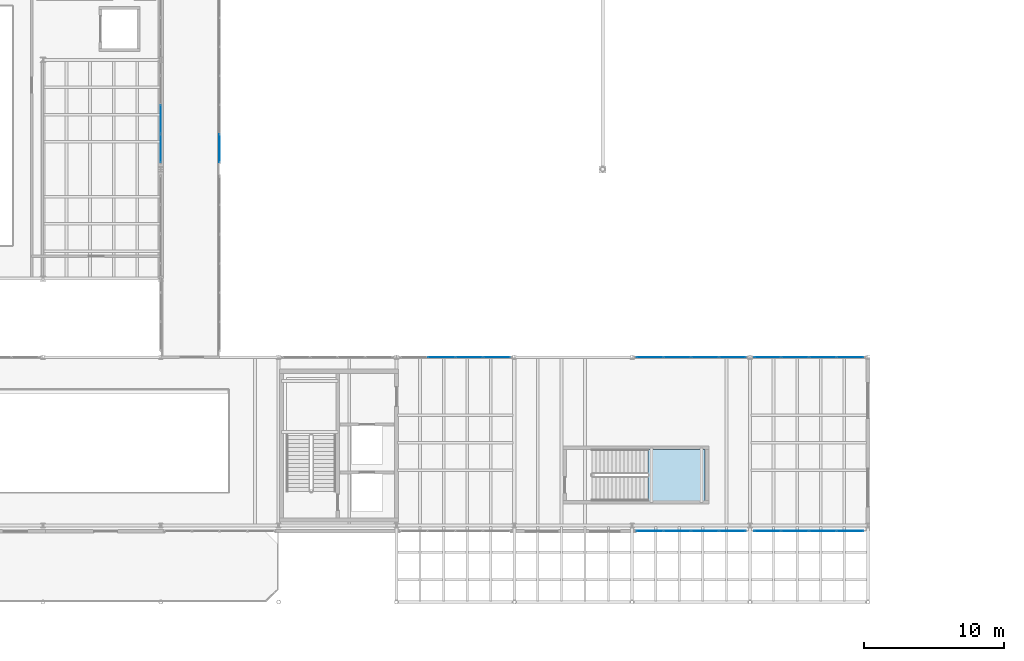
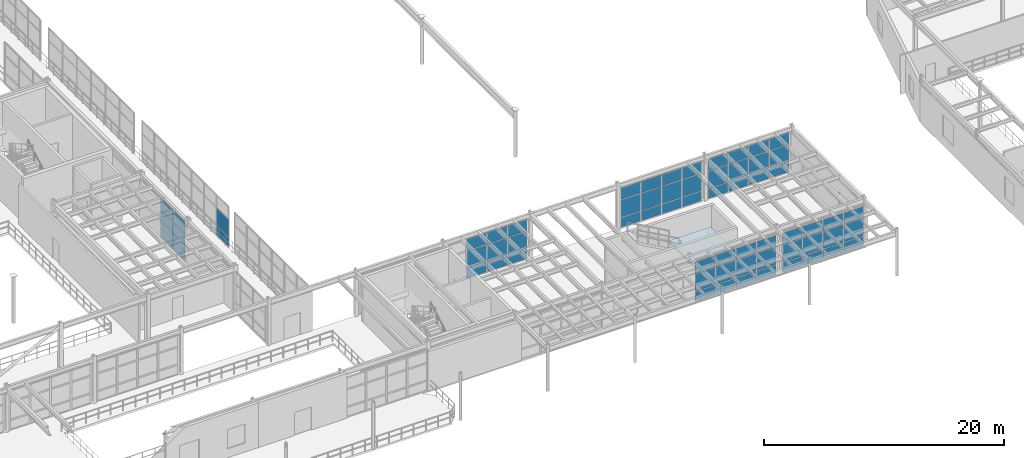
# One storey, part 85 of 116: 65 plates, 1 slab, 8 elements without a shape of their own.
"""IFC4 building model written with IfcOpenShell, lengths in metres."""

from ifc_helpers import new_model, si_unit, direction, frame, origin, origin_2d, place, context, subcontext, project, spatial, polyline, rectangle, outline, extrude, material, layer, layer_set, type_object, element, aggregate, save


model = new_model("IFC4")

# Units and contexts
model_context = context("Model", 3, precision=1e-05, world=origin(), true_north=direction((0.0, 1.0)))
body_context = subcontext(model_context, "Body", "Model", "MODEL_VIEW")
ifc_project = project(units=[si_unit("LENGTHUNIT", "METRE"), si_unit("AREAUNIT", "SQUARE_METRE"), si_unit("VOLUMEUNIT", "CUBIC_METRE"), si_unit("PLANEANGLEUNIT", "RADIAN"), si_unit("MASSUNIT", "GRAM", prefix="KILO")], contexts=[model_context])

# Site, building, storey
site_placement = place(None, origin())
site = spatial("IfcSite", under=ifc_project, at=site_placement, CompositionType="ELEMENT")
building_placement = place(site_placement, origin())
building = spatial("IfcBuilding", under=site, at=building_placement, Name="Selat Folded Stagehouse", CompositionType="ELEMENT")
storey_placement = place(building_placement, frame((0.0, 0.0, 5.39990234375)))
storey = spatial("IfcBuildingStorey", under=building, at=storey_placement, Name="L01", CompositionType="ELEMENT", Elevation=5.39990234375)

# Curtain wall, plates
ifc_material_1 = material(Name="Aluminium 6063-T6", Category="aluminium")
ifc_layer_1 = layer(ifc_material_1, 0.195068359375)
ifc_layer_set_1 = layer_set([ifc_layer_1], Name="Aluminium 6063-T6")
curtain_wall_type_1 = type_object("IfcCurtainWallType", Name="CW-FYR-COURT", PredefinedType="NOTDEFINED", material=ifc_layer_set_1)
curtain_wall_1_placement = place(storey_placement, origin())
curtain_wall_1 = element("IfcCurtainWall", 1, at=curtain_wall_1_placement, inside=storey, type_object=curtain_wall_type_1, Name="L01 curtain wall CW-FYR-L01-11", PredefinedType="NOTDEFINED")
ifc_material_2 = material(Name="Clear laminated double glazing", Category="glass")
ifc_layer_2 = layer(ifc_material_2, 0.028076171875)
ifc_layer_set_2 = layer_set([ifc_layer_2], Name="Clear laminated double glazing")
plate_type_1 = type_object("IfcPlateType", Name="CWP-GLZ-DGU28", PredefinedType="CURTAIN_PANEL", material=ifc_layer_set_2)
plate_1_placement = place(storey_placement, frame((87.21240234375, 17.800048828125, 0.06494140625), z_axis=(0.0, 0.0, 1.0), x_axis=(1.0, 0.0, 0.0)))
plate_1 = element("IfcPlate", 2, at=plate_1_placement, type_object=plate_type_1, Name="CW-05 panel 2.1", PredefinedType="CURTAIN_PANEL", context=body_context, shape_type="SweptSolid", body=[
    extrude(rectangle(XDim=1.909912109375, YDim=0.028076171875, at=origin_2d()), origin(), (0.0, 0.0, 1.0), 0.952392578125),
])
plate_2_placement = place(storey_placement, frame((87.21240234375, 17.800048828125, 1.08251953125), z_axis=(0.0, 0.0, 1.0), x_axis=(1.0, 0.0, 0.0)))
plate_2 = element("IfcPlate", 3, at=plate_2_placement, type_object=plate_type_1, Name="CW-05 panel 2.2", PredefinedType="CURTAIN_PANEL", context=body_context, shape_type="SweptSolid", body=[
    extrude(rectangle(XDim=1.909912109375, YDim=0.028076171875, at=origin_2d()), origin(), (0.0, 0.0, 1.0), 1.735107421875),
])
plate_3_placement = place(storey_placement, frame((87.21240234375, 17.800048828125, 2.88232421875), z_axis=(0.0, 0.0, 1.0), x_axis=(1.0, 0.0, 0.0)))
plate_3 = element("IfcPlate", 4, at=plate_3_placement, type_object=plate_type_1, Name="CW-05 panel 2.3", PredefinedType="CURTAIN_PANEL", context=body_context, shape_type="SweptSolid", body=[
    extrude(rectangle(XDim=1.909912109375, YDim=0.028076171875, at=origin_2d()), origin(), (0.0, 0.0, 1.0), 1.172607421875),
])
plate_4_placement = place(storey_placement, frame((89.1875, 17.800048828125, 0.06494140625), z_axis=(0.0, 0.0, 1.0), x_axis=(1.0, 0.0, 0.0)))
plate_4 = element("IfcPlate", 5, at=plate_4_placement, type_object=plate_type_1, Name="CW-05 panel 3.1", PredefinedType="CURTAIN_PANEL", context=body_context, shape_type="SweptSolid", body=[
    extrude(rectangle(XDim=1.909912109375, YDim=0.028076171875, at=origin_2d()), origin(), (0.0, 0.0, 1.0), 0.952392578125),
])
plate_5_placement = place(storey_placement, frame((89.1875, 17.800048828125, 1.08251953125), z_axis=(0.0, 0.0, 1.0), x_axis=(1.0, 0.0, 0.0)))
plate_5 = element("IfcPlate", 6, at=plate_5_placement, type_object=plate_type_1, Name="CW-05 panel 3.2", PredefinedType="CURTAIN_PANEL", context=body_context, shape_type="SweptSolid", body=[
    extrude(rectangle(XDim=1.909912109375, YDim=0.028076171875, at=origin_2d()), origin(), (0.0, 0.0, 1.0), 1.735107421875),
])
plate_6_placement = place(storey_placement, frame((89.1875, 17.800048828125, 2.88232421875), z_axis=(0.0, 0.0, 1.0), x_axis=(1.0, 0.0, 0.0)))
plate_6 = element("IfcPlate", 7, at=plate_6_placement, type_object=plate_type_1, Name="CW-05 panel 3.3", PredefinedType="CURTAIN_PANEL", context=body_context, shape_type="SweptSolid", body=[
    extrude(rectangle(XDim=1.909912109375, YDim=0.028076171875, at=origin_2d()), origin(), (0.0, 0.0, 1.0), 1.172607421875),
])
plate_7_placement = place(storey_placement, frame((91.146240234375, 17.800048828125, 0.06494140625), z_axis=(0.0, 0.0, 1.0), x_axis=(1.0, 0.0, 0.0)))
plate_7 = element("IfcPlate", 8, at=plate_7_placement, type_object=plate_type_1, Name="CW-05 panel 4.1", PredefinedType="CURTAIN_PANEL", context=body_context, shape_type="SweptSolid", body=[
    extrude(rectangle(XDim=1.87744140625, YDim=0.028076171875, at=origin_2d()), origin(), (0.0, 0.0, 1.0), 0.952392578125),
])
plate_8_placement = place(storey_placement, frame((91.146240234375, 17.800048828125, 1.08251953125), z_axis=(0.0, 0.0, 1.0), x_axis=(1.0, 0.0, 0.0)))
plate_8 = element("IfcPlate", 9, at=plate_8_placement, type_object=plate_type_1, Name="CW-05 panel 4.2", PredefinedType="CURTAIN_PANEL", context=body_context, shape_type="SweptSolid", body=[
    extrude(rectangle(XDim=1.87744140625, YDim=0.028076171875, at=origin_2d()), origin(), (0.0, 0.0, 1.0), 1.735107421875),
])
plate_9_placement = place(storey_placement, frame((91.146240234375, 17.800048828125, 2.88232421875), z_axis=(0.0, 0.0, 1.0), x_axis=(1.0, 0.0, 0.0)))
plate_9 = element("IfcPlate", 10, at=plate_9_placement, type_object=plate_type_1, Name="CW-05 panel 4.3", PredefinedType="CURTAIN_PANEL", context=body_context, shape_type="SweptSolid", body=[
    extrude(rectangle(XDim=1.87744140625, YDim=0.028076171875, at=origin_2d()), origin(), (0.0, 0.0, 1.0), 1.172607421875),
])
aggregate(curtain_wall_1, [plate_1, plate_2, plate_3, plate_4, plate_5, plate_6, plate_7, plate_8, plate_9])

curtain_wall_2_placement = place(storey_placement, origin())
curtain_wall_2 = element("IfcCurtainWall", 11, at=curtain_wall_2_placement, inside=storey, type_object=curtain_wall_type_1, Name="L01 curtain wall CW-FYR-L01-12", PredefinedType="NOTDEFINED")
plate_10_placement = place(storey_placement, frame((102.0537109375, 17.800048828125, 0.06494140625), z_axis=(0.0, 0.0, 1.0), x_axis=(1.0, 0.0, 0.0)))
plate_10 = element("IfcPlate", 12, at=plate_10_placement, type_object=plate_type_1, Name="CW-05 panel 1.1", PredefinedType="CURTAIN_PANEL", context=body_context, shape_type="SweptSolid", body=[
    extrude(rectangle(XDim=1.87744140625, YDim=0.028076171875, at=origin_2d()), origin(), (0.0, 0.0, 1.0), 0.952392578125),
])
plate_11_placement = place(storey_placement, frame((102.0537109375, 17.800048828125, 1.08251953125), z_axis=(0.0, 0.0, 1.0), x_axis=(1.0, 0.0, 0.0)))
plate_11 = element("IfcPlate", 13, at=plate_11_placement, type_object=plate_type_1, Name="CW-05 panel 1.2", PredefinedType="CURTAIN_PANEL", context=body_context, shape_type="SweptSolid", body=[
    extrude(rectangle(XDim=1.87744140625, YDim=0.028076171875, at=origin_2d()), origin(), (0.0, 0.0, 1.0), 1.735107421875),
])
plate_12_placement = place(storey_placement, frame((102.0537109375, 17.800048828125, 2.88232421875), z_axis=(0.0, 0.0, 1.0), x_axis=(1.0, 0.0, 0.0)))
plate_12 = element("IfcPlate", 14, at=plate_12_placement, type_object=plate_type_1, Name="CW-05 panel 1.3", PredefinedType="CURTAIN_PANEL", context=body_context, shape_type="SweptSolid", body=[
    extrude(rectangle(XDim=1.87744140625, YDim=0.028076171875, at=origin_2d()), origin(), (0.0, 0.0, 1.0), 1.172607421875),
])
plate_13_placement = place(storey_placement, frame((104.012451171875, 17.800048828125, 0.06494140625), z_axis=(0.0, 0.0, 1.0), x_axis=(1.0, 0.0, 0.0)))
plate_13 = element("IfcPlate", 15, at=plate_13_placement, type_object=plate_type_1, Name="CW-05 panel 2.1", PredefinedType="CURTAIN_PANEL", context=body_context, shape_type="SweptSolid", body=[
    extrude(rectangle(XDim=1.909912109375, YDim=0.028076171875, at=origin_2d()), origin(), (0.0, 0.0, 1.0), 0.952392578125),
])
plate_14_placement = place(storey_placement, frame((104.012451171875, 17.800048828125, 1.08251953125), z_axis=(0.0, 0.0, 1.0), x_axis=(1.0, 0.0, 0.0)))
plate_14 = element("IfcPlate", 16, at=plate_14_placement, type_object=plate_type_1, Name="CW-05 panel 2.2", PredefinedType="CURTAIN_PANEL", context=body_context, shape_type="SweptSolid", body=[
    extrude(rectangle(XDim=1.909912109375, YDim=0.028076171875, at=origin_2d()), origin(), (0.0, 0.0, 1.0), 1.735107421875),
])
plate_15_placement = place(storey_placement, frame((104.012451171875, 17.800048828125, 2.88232421875), z_axis=(0.0, 0.0, 1.0), x_axis=(1.0, 0.0, 0.0)))
plate_15 = element("IfcPlate", 17, at=plate_15_placement, type_object=plate_type_1, Name="CW-05 panel 2.3", PredefinedType="CURTAIN_PANEL", context=body_context, shape_type="SweptSolid", body=[
    extrude(rectangle(XDim=1.909912109375, YDim=0.028076171875, at=origin_2d()), origin(), (0.0, 0.0, 1.0), 1.172607421875),
])
plate_16_placement = place(storey_placement, frame((105.987548828125, 17.800048828125, 0.06494140625), z_axis=(0.0, 0.0, 1.0), x_axis=(1.0, 0.0, 0.0)))
plate_16 = element("IfcPlate", 18, at=plate_16_placement, type_object=plate_type_1, Name="CW-05 panel 3.1", PredefinedType="CURTAIN_PANEL", context=body_context, shape_type="SweptSolid", body=[
    extrude(rectangle(XDim=1.909912109375, YDim=0.028076171875, at=origin_2d()), origin(), (0.0, 0.0, 1.0), 0.952392578125),
])
plate_17_placement = place(storey_placement, frame((105.987548828125, 17.800048828125, 1.08251953125), z_axis=(0.0, 0.0, 1.0), x_axis=(1.0, 0.0, 0.0)))
plate_17 = element("IfcPlate", 19, at=plate_17_placement, type_object=plate_type_1, Name="CW-05 panel 3.2", PredefinedType="CURTAIN_PANEL", context=body_context, shape_type="SweptSolid", body=[
    extrude(rectangle(XDim=1.909912109375, YDim=0.028076171875, at=origin_2d()), origin(), (0.0, 0.0, 1.0), 1.735107421875),
])
plate_18_placement = place(storey_placement, frame((105.987548828125, 17.800048828125, 2.88232421875), z_axis=(0.0, 0.0, 1.0), x_axis=(1.0, 0.0, 0.0)))
plate_18 = element("IfcPlate", 20, at=plate_18_placement, type_object=plate_type_1, Name="CW-05 panel 3.3", PredefinedType="CURTAIN_PANEL", context=body_context, shape_type="SweptSolid", body=[
    extrude(rectangle(XDim=1.909912109375, YDim=0.028076171875, at=origin_2d()), origin(), (0.0, 0.0, 1.0), 1.172607421875),
])
plate_19_placement = place(storey_placement, frame((107.9462890625, 17.800048828125, 0.06494140625), z_axis=(0.0, 0.0, 1.0), x_axis=(1.0, 0.0, 0.0)))
plate_19 = element("IfcPlate", 21, at=plate_19_placement, type_object=plate_type_1, Name="CW-05 panel 4.1", PredefinedType="CURTAIN_PANEL", context=body_context, shape_type="SweptSolid", body=[
    extrude(rectangle(XDim=1.87744140625, YDim=0.028076171875, at=origin_2d()), origin(), (0.0, 0.0, 1.0), 0.952392578125),
])
plate_20_placement = place(storey_placement, frame((107.9462890625, 17.800048828125, 1.08251953125), z_axis=(0.0, 0.0, 1.0), x_axis=(1.0, 0.0, 0.0)))
plate_20 = element("IfcPlate", 22, at=plate_20_placement, type_object=plate_type_1, Name="CW-05 panel 4.2", PredefinedType="CURTAIN_PANEL", context=body_context, shape_type="SweptSolid", body=[
    extrude(rectangle(XDim=1.87744140625, YDim=0.028076171875, at=origin_2d()), origin(), (0.0, 0.0, 1.0), 1.735107421875),
])
plate_21_placement = place(storey_placement, frame((107.9462890625, 17.800048828125, 2.88232421875), z_axis=(0.0, 0.0, 1.0), x_axis=(1.0, 0.0, 0.0)))
plate_21 = element("IfcPlate", 23, at=plate_21_placement, type_object=plate_type_1, Name="CW-05 panel 4.3", PredefinedType="CURTAIN_PANEL", context=body_context, shape_type="SweptSolid", body=[
    extrude(rectangle(XDim=1.87744140625, YDim=0.028076171875, at=origin_2d()), origin(), (0.0, 0.0, 1.0), 1.172607421875),
])
aggregate(curtain_wall_2, [plate_10, plate_11, plate_12, plate_13, plate_14, plate_15, plate_16, plate_17, plate_18, plate_19, plate_20, plate_21])

curtain_wall_3_placement = place(storey_placement, origin())
curtain_wall_3 = element("IfcCurtainWall", 24, at=curtain_wall_3_placement, inside=storey, type_object=curtain_wall_type_1, Name="L01 curtain wall CW-FYR-L01-13", PredefinedType="NOTDEFINED")
plate_22_placement = place(storey_placement, frame((110.453857421875, 17.800048828125, 0.06494140625), z_axis=(0.0, 0.0, 1.0), x_axis=(1.0, 0.0, 0.0)))
plate_22 = element("IfcPlate", 25, at=plate_22_placement, type_object=plate_type_1, Name="CW-05 panel 1.1", PredefinedType="CURTAIN_PANEL", context=body_context, shape_type="SweptSolid", body=[
    extrude(rectangle(XDim=1.87744140625, YDim=0.028076171875, at=origin_2d()), origin(), (0.0, 0.0, 1.0), 0.952392578125),
])
plate_23_placement = place(storey_placement, frame((110.453857421875, 17.800048828125, 1.08251953125), z_axis=(0.0, 0.0, 1.0), x_axis=(1.0, 0.0, 0.0)))
plate_23 = element("IfcPlate", 26, at=plate_23_placement, type_object=plate_type_1, Name="CW-05 panel 1.2", PredefinedType="CURTAIN_PANEL", context=body_context, shape_type="SweptSolid", body=[
    extrude(rectangle(XDim=1.87744140625, YDim=0.028076171875, at=origin_2d()), origin(), (0.0, 0.0, 1.0), 1.735107421875),
])
plate_24_placement = place(storey_placement, frame((110.453857421875, 17.800048828125, 2.88232421875), z_axis=(0.0, 0.0, 1.0), x_axis=(1.0, 0.0, 0.0)))
plate_24 = element("IfcPlate", 27, at=plate_24_placement, type_object=plate_type_1, Name="CW-05 panel 1.3", PredefinedType="CURTAIN_PANEL", context=body_context, shape_type="SweptSolid", body=[
    extrude(rectangle(XDim=1.87744140625, YDim=0.028076171875, at=origin_2d()), origin(), (0.0, 0.0, 1.0), 1.172607421875),
])
plate_25_placement = place(storey_placement, frame((112.41259765625, 17.800048828125, 0.06494140625), z_axis=(0.0, 0.0, 1.0), x_axis=(1.0, 0.0, 0.0)))
plate_25 = element("IfcPlate", 28, at=plate_25_placement, type_object=plate_type_1, Name="CW-05 panel 2.1", PredefinedType="CURTAIN_PANEL", context=body_context, shape_type="SweptSolid", body=[
    extrude(rectangle(XDim=1.909912109375, YDim=0.028076171875, at=origin_2d()), origin(), (0.0, 0.0, 1.0), 0.952392578125),
])
plate_26_placement = place(storey_placement, frame((112.41259765625, 17.800048828125, 1.08251953125), z_axis=(0.0, 0.0, 1.0), x_axis=(1.0, 0.0, 0.0)))
plate_26 = element("IfcPlate", 29, at=plate_26_placement, type_object=plate_type_1, Name="CW-05 panel 2.2", PredefinedType="CURTAIN_PANEL", context=body_context, shape_type="SweptSolid", body=[
    extrude(rectangle(XDim=1.909912109375, YDim=0.028076171875, at=origin_2d()), origin(), (0.0, 0.0, 1.0), 1.735107421875),
])
plate_27_placement = place(storey_placement, frame((112.41259765625, 17.800048828125, 2.88232421875), z_axis=(0.0, 0.0, 1.0), x_axis=(1.0, 0.0, 0.0)))
plate_27 = element("IfcPlate", 30, at=plate_27_placement, type_object=plate_type_1, Name="CW-05 panel 2.3", PredefinedType="CURTAIN_PANEL", context=body_context, shape_type="SweptSolid", body=[
    extrude(rectangle(XDim=1.909912109375, YDim=0.028076171875, at=origin_2d()), origin(), (0.0, 0.0, 1.0), 1.172607421875),
])
plate_28_placement = place(storey_placement, frame((114.387451171875, 17.800048828125, 0.06494140625), z_axis=(0.0, 0.0, 1.0), x_axis=(1.0, 0.0, 0.0)))
plate_28 = element("IfcPlate", 31, at=plate_28_placement, type_object=plate_type_1, Name="CW-05 panel 3.1", PredefinedType="CURTAIN_PANEL", context=body_context, shape_type="SweptSolid", body=[
    extrude(rectangle(XDim=1.909912109375, YDim=0.028076171875, at=origin_2d()), origin(), (0.0, 0.0, 1.0), 0.952392578125),
])
plate_29_placement = place(storey_placement, frame((114.387451171875, 17.800048828125, 1.08251953125), z_axis=(0.0, 0.0, 1.0), x_axis=(1.0, 0.0, 0.0)))
plate_29 = element("IfcPlate", 32, at=plate_29_placement, type_object=plate_type_1, Name="CW-05 panel 3.2", PredefinedType="CURTAIN_PANEL", context=body_context, shape_type="SweptSolid", body=[
    extrude(rectangle(XDim=1.909912109375, YDim=0.028076171875, at=origin_2d()), origin(), (0.0, 0.0, 1.0), 1.735107421875),
])
plate_30_placement = place(storey_placement, frame((114.387451171875, 17.800048828125, 2.88232421875), z_axis=(0.0, 0.0, 1.0), x_axis=(1.0, 0.0, 0.0)))
plate_30 = element("IfcPlate", 33, at=plate_30_placement, type_object=plate_type_1, Name="CW-05 panel 3.3", PredefinedType="CURTAIN_PANEL", context=body_context, shape_type="SweptSolid", body=[
    extrude(rectangle(XDim=1.909912109375, YDim=0.028076171875, at=origin_2d()), origin(), (0.0, 0.0, 1.0), 1.172607421875),
])
plate_31_placement = place(storey_placement, frame((116.34619140625, 17.800048828125, 0.06494140625), z_axis=(0.0, 0.0, 1.0), x_axis=(1.0, 0.0, 0.0)))
plate_31 = element("IfcPlate", 34, at=plate_31_placement, type_object=plate_type_1, Name="CW-05 panel 4.1", PredefinedType="CURTAIN_PANEL", context=body_context, shape_type="SweptSolid", body=[
    extrude(rectangle(XDim=1.87744140625, YDim=0.028076171875, at=origin_2d()), origin(), (0.0, 0.0, 1.0), 0.952392578125),
])
plate_32_placement = place(storey_placement, frame((116.34619140625, 17.800048828125, 1.08251953125), z_axis=(0.0, 0.0, 1.0), x_axis=(1.0, 0.0, 0.0)))
plate_32 = element("IfcPlate", 35, at=plate_32_placement, type_object=plate_type_1, Name="CW-05 panel 4.2", PredefinedType="CURTAIN_PANEL", context=body_context, shape_type="SweptSolid", body=[
    extrude(rectangle(XDim=1.87744140625, YDim=0.028076171875, at=origin_2d()), origin(), (0.0, 0.0, 1.0), 1.735107421875),
])
plate_33_placement = place(storey_placement, frame((116.34619140625, 17.800048828125, 2.88232421875), z_axis=(0.0, 0.0, 1.0), x_axis=(1.0, 0.0, 0.0)))
plate_33 = element("IfcPlate", 36, at=plate_33_placement, type_object=plate_type_1, Name="CW-05 panel 4.3", PredefinedType="CURTAIN_PANEL", context=body_context, shape_type="SweptSolid", body=[
    extrude(rectangle(XDim=1.87744140625, YDim=0.028076171875, at=origin_2d()), origin(), (0.0, 0.0, 1.0), 1.172607421875),
])
aggregate(curtain_wall_3, [plate_22, plate_23, plate_24, plate_25, plate_26, plate_27, plate_28, plate_29, plate_30, plate_31, plate_32, plate_33])

ifc_layer_3 = layer(ifc_material_1, 0.175048828125)
ifc_layer_set_3 = layer_set([ifc_layer_3], Name="Aluminium 6063-T6")
curtain_wall_type_2 = type_object("IfcCurtainWallType", Name="CW-BRG-GLAZ", PredefinedType="NOTDEFINED", material=ifc_layer_set_3)
curtain_wall_4_placement = place(storey_placement, origin())
curtain_wall_4 = element("IfcCurtainWall", 37, at=curtain_wall_4_placement, inside=storey, type_object=curtain_wall_type_2, Name="L01 curtain wall CW-BRG-02", PredefinedType="NOTDEFINED")
plate_34_placement = place(storey_placement, frame((67.199951171875, 32.70068359375, 0.06494140625), z_axis=(0.0, 0.0, 1.0), x_axis=(0.0, 1.0, 0.0)))
plate_34 = element("IfcPlate", 38, at=plate_34_placement, type_object=plate_type_1, Name="CW-07 panel 1.1", PredefinedType="CURTAIN_PANEL", context=body_context, shape_type="SweptSolid", body=[
    extrude(rectangle(XDim=1.9814453125, YDim=0.028076171875, at=origin_2d()), origin(), (0.0, 0.0, 1.0), 0.952392578125),
])
plate_35_placement = place(storey_placement, frame((67.199951171875, 32.70068359375, 1.08251953125), z_axis=(0.0, 0.0, 1.0), x_axis=(0.0, 1.0, 0.0)))
plate_35 = element("IfcPlate", 39, at=plate_35_placement, type_object=plate_type_1, Name="CW-07 panel 1.2", PredefinedType="CURTAIN_PANEL", context=body_context, shape_type="SweptSolid", body=[
    extrude(rectangle(XDim=1.9814453125, YDim=0.028076171875, at=origin_2d()), origin(), (0.0, 0.0, 1.0), 1.735107421875),
])
plate_36_placement = place(storey_placement, frame((67.199951171875, 32.70068359375, 2.8828125), z_axis=(0.0, 0.0, 1.0), x_axis=(0.0, 1.0, 0.0)))
plate_36 = element("IfcPlate", 40, at=plate_36_placement, type_object=plate_type_1, Name="CW-07 panel 1.3", PredefinedType="CURTAIN_PANEL", context=body_context, shape_type="SweptSolid", body=[
    extrude(rectangle(XDim=1.9814453125, YDim=0.028076171875, at=origin_2d()), origin(), (0.0, 0.0, 1.0), 1.202392578125),
])
plate_37_placement = place(storey_placement, frame((67.199951171875, 34.757080078125, 0.06494140625), z_axis=(0.0, 0.0, 1.0), x_axis=(0.0, 1.0, 0.0)))
plate_37 = element("IfcPlate", 41, at=plate_37_placement, type_object=plate_type_1, Name="CW-07 panel 2.1", PredefinedType="CURTAIN_PANEL", context=body_context, shape_type="SweptSolid", body=[
    extrude(rectangle(XDim=2.011474609375, YDim=0.028076171875, at=origin_2d()), origin(), (0.0, 0.0, 1.0), 0.952392578125),
])
plate_38_placement = place(storey_placement, frame((67.199951171875, 34.757080078125, 1.08251953125), z_axis=(0.0, 0.0, 1.0), x_axis=(0.0, 1.0, 0.0)))
plate_38 = element("IfcPlate", 42, at=plate_38_placement, type_object=plate_type_1, Name="CW-07 panel 2.2", PredefinedType="CURTAIN_PANEL", context=body_context, shape_type="SweptSolid", body=[
    extrude(rectangle(XDim=2.011474609375, YDim=0.028076171875, at=origin_2d()), origin(), (0.0, 0.0, 1.0), 1.735107421875),
])
plate_39_placement = place(storey_placement, frame((67.199951171875, 34.757080078125, 2.8828125), z_axis=(0.0, 0.0, 1.0), x_axis=(0.0, 1.0, 0.0)))
plate_39 = element("IfcPlate", 43, at=plate_39_placement, type_object=plate_type_1, Name="CW-07 panel 2.3", PredefinedType="CURTAIN_PANEL", context=body_context, shape_type="SweptSolid", body=[
    extrude(rectangle(XDim=2.011474609375, YDim=0.028076171875, at=origin_2d()), origin(), (0.0, 0.0, 1.0), 1.202392578125),
])
aggregate(curtain_wall_4, [plate_34, plate_35, plate_36, plate_37, plate_38, plate_39])

curtain_wall_5_placement = place(storey_placement, origin())
curtain_wall_5 = element("IfcCurtainWall", 44, at=curtain_wall_5_placement, inside=storey, type_object=curtain_wall_type_2, Name="L01 curtain wall CW-BRG-07", PredefinedType="NOTDEFINED")
plate_40_placement = place(storey_placement, frame((71.39990234375, 32.70068359375, 0.06494140625), z_axis=(0.0, 0.0, 1.0), x_axis=(0.0, -1.0, 0.0)))
plate_40 = element("IfcPlate", 45, at=plate_40_placement, type_object=plate_type_1, Name="CW-07 panel 7.1", PredefinedType="CURTAIN_PANEL", context=body_context, shape_type="SweptSolid", body=[
    extrude(rectangle(XDim=1.9814453125, YDim=0.028076171875, at=origin_2d()), origin(), (0.0, 0.0, 1.0), 0.952392578125),
])
plate_41_placement = place(storey_placement, frame((71.39990234375, 32.70068359375, 1.08251953125), z_axis=(0.0, 0.0, 1.0), x_axis=(0.0, -1.0, 0.0)))
plate_41 = element("IfcPlate", 46, at=plate_41_placement, type_object=plate_type_1, Name="CW-07 panel 7.2", PredefinedType="CURTAIN_PANEL", context=body_context, shape_type="SweptSolid", body=[
    extrude(rectangle(XDim=1.9814453125, YDim=0.028076171875, at=origin_2d()), origin(), (0.0, 0.0, 1.0), 1.735107421875),
])
aggregate(curtain_wall_5, [plate_40, plate_41])

ifc_layer_4 = layer(ifc_material_1, 0.2099609375)
ifc_layer_set_4 = layer_set([ifc_layer_4], Name="Aluminium 6063-T6")
curtain_wall_type_3 = type_object("IfcCurtainWallType", Name="CW-FYR-SOUTH", PredefinedType="NOTDEFINED", material=ifc_layer_set_4)
curtain_wall_6_placement = place(storey_placement, origin())
curtain_wall_6 = element("IfcCurtainWall", 47, at=curtain_wall_6_placement, inside=storey, type_object=curtain_wall_type_3, Name="L01 curtain wall CW-FYR-L01-05", PredefinedType="NOTDEFINED")
ifc_material_3 = material(Name="Acoustic laminated double glazing", Category="glass")
ifc_layer_5 = layer(ifc_material_3, 0.035888671875)
ifc_layer_set_5 = layer_set([ifc_layer_5], Name="Acoustic laminated double glazing")
plate_type_2 = type_object("IfcPlateType", Name="CWP-GLZ-DGU36", PredefinedType="CURTAIN_PANEL", material=ifc_layer_set_5)
plate_42_placement = place(storey_placement, frame((107.9462890625, 5.39990234375, 0.06494140625), z_axis=(0.0, 0.0, 1.0), x_axis=(-1.0, 0.0, 0.0)))
plate_42 = element("IfcPlate", 48, at=plate_42_placement, type_object=plate_type_2, Name="CW-04 panel 1.1", PredefinedType="CURTAIN_PANEL", context=body_context, shape_type="SweptSolid", body=[
    extrude(rectangle(XDim=1.87744140625, YDim=0.035888671875, at=origin_2d()), origin(), (0.0, 0.0, 1.0), 0.952392578125),
])
plate_43_placement = place(storey_placement, frame((107.9462890625, 5.39990234375, 1.08251953125), z_axis=(0.0, 0.0, 1.0), x_axis=(-1.0, 0.0, 0.0)))
plate_43 = element("IfcPlate", 49, at=plate_43_placement, type_object=plate_type_2, Name="CW-04 panel 1.2", PredefinedType="CURTAIN_PANEL", context=body_context, shape_type="SweptSolid", body=[
    extrude(rectangle(XDim=1.87744140625, YDim=0.035888671875, at=origin_2d()), origin(), (0.0, 0.0, 1.0), 1.735107421875),
])
plate_44_placement = place(storey_placement, frame((107.9462890625, 5.39990234375, 2.88232421875), z_axis=(0.0, 0.0, 1.0), x_axis=(-1.0, 0.0, 0.0)))
plate_44 = element("IfcPlate", 50, at=plate_44_placement, type_object=plate_type_2, Name="CW-04 panel 1.3", PredefinedType="CURTAIN_PANEL", context=body_context, shape_type="SweptSolid", body=[
    extrude(rectangle(XDim=1.87744140625, YDim=0.035888671875, at=origin_2d()), origin(), (0.0, 0.0, 1.0), 1.172607421875),
])
plate_45_placement = place(storey_placement, frame((105.987548828125, 5.39990234375, 0.06494140625), z_axis=(0.0, 0.0, 1.0), x_axis=(-1.0, 0.0, 0.0)))
plate_45 = element("IfcPlate", 51, at=plate_45_placement, type_object=plate_type_2, Name="CW-04 panel 2.1", PredefinedType="CURTAIN_PANEL", context=body_context, shape_type="SweptSolid", body=[
    extrude(rectangle(XDim=1.909912109375, YDim=0.035888671875, at=origin_2d()), origin(), (0.0, 0.0, 1.0), 0.952392578125),
])
plate_46_placement = place(storey_placement, frame((105.987548828125, 5.39990234375, 1.08251953125), z_axis=(0.0, 0.0, 1.0), x_axis=(-1.0, 0.0, 0.0)))
plate_46 = element("IfcPlate", 52, at=plate_46_placement, type_object=plate_type_2, Name="CW-04 panel 2.2", PredefinedType="CURTAIN_PANEL", context=body_context, shape_type="SweptSolid", body=[
    extrude(rectangle(XDim=1.909912109375, YDim=0.035888671875, at=origin_2d()), origin(), (0.0, 0.0, 1.0), 1.735107421875),
])
plate_47_placement = place(storey_placement, frame((105.987548828125, 5.39990234375, 2.88232421875), z_axis=(0.0, 0.0, 1.0), x_axis=(-1.0, 0.0, 0.0)))
plate_47 = element("IfcPlate", 53, at=plate_47_placement, type_object=plate_type_2, Name="CW-04 panel 2.3", PredefinedType="CURTAIN_PANEL", context=body_context, shape_type="SweptSolid", body=[
    extrude(rectangle(XDim=1.909912109375, YDim=0.035888671875, at=origin_2d()), origin(), (0.0, 0.0, 1.0), 1.172607421875),
])
plate_48_placement = place(storey_placement, frame((104.012451171875, 5.39990234375, 0.06494140625), z_axis=(0.0, 0.0, 1.0), x_axis=(-1.0, 0.0, 0.0)))
plate_48 = element("IfcPlate", 54, at=plate_48_placement, type_object=plate_type_2, Name="CW-04 panel 3.1", PredefinedType="CURTAIN_PANEL", context=body_context, shape_type="SweptSolid", body=[
    extrude(rectangle(XDim=1.909912109375, YDim=0.035888671875, at=origin_2d()), origin(), (0.0, 0.0, 1.0), 0.952392578125),
])
plate_49_placement = place(storey_placement, frame((104.012451171875, 5.39990234375, 1.08251953125), z_axis=(0.0, 0.0, 1.0), x_axis=(-1.0, 0.0, 0.0)))
plate_49 = element("IfcPlate", 55, at=plate_49_placement, type_object=plate_type_2, Name="CW-04 panel 3.2", PredefinedType="CURTAIN_PANEL", context=body_context, shape_type="SweptSolid", body=[
    extrude(rectangle(XDim=1.909912109375, YDim=0.035888671875, at=origin_2d()), origin(), (0.0, 0.0, 1.0), 1.735107421875),
])
plate_50_placement = place(storey_placement, frame((104.012451171875, 5.39990234375, 2.88232421875), z_axis=(0.0, 0.0, 1.0), x_axis=(-1.0, 0.0, 0.0)))
plate_50 = element("IfcPlate", 56, at=plate_50_placement, type_object=plate_type_2, Name="CW-04 panel 3.3", PredefinedType="CURTAIN_PANEL", context=body_context, shape_type="SweptSolid", body=[
    extrude(rectangle(XDim=1.909912109375, YDim=0.035888671875, at=origin_2d()), origin(), (0.0, 0.0, 1.0), 1.172607421875),
])
plate_51_placement = place(storey_placement, frame((102.0537109375, 5.39990234375, 0.06494140625), z_axis=(0.0, 0.0, 1.0), x_axis=(-1.0, 0.0, 0.0)))
plate_51 = element("IfcPlate", 57, at=plate_51_placement, type_object=plate_type_2, Name="CW-04 panel 4.1", PredefinedType="CURTAIN_PANEL", context=body_context, shape_type="SweptSolid", body=[
    extrude(rectangle(XDim=1.87744140625, YDim=0.035888671875, at=origin_2d()), origin(), (0.0, 0.0, 1.0), 0.952392578125),
])
plate_52_placement = place(storey_placement, frame((102.0537109375, 5.39990234375, 1.08251953125), z_axis=(0.0, 0.0, 1.0), x_axis=(-1.0, 0.0, 0.0)))
plate_52 = element("IfcPlate", 58, at=plate_52_placement, type_object=plate_type_2, Name="CW-04 panel 4.2", PredefinedType="CURTAIN_PANEL", context=body_context, shape_type="SweptSolid", body=[
    extrude(rectangle(XDim=1.87744140625, YDim=0.035888671875, at=origin_2d()), origin(), (0.0, 0.0, 1.0), 1.735107421875),
])
plate_53_placement = place(storey_placement, frame((102.0537109375, 5.39990234375, 2.88232421875), z_axis=(0.0, 0.0, 1.0), x_axis=(-1.0, 0.0, 0.0)))
plate_53 = element("IfcPlate", 59, at=plate_53_placement, type_object=plate_type_2, Name="CW-04 panel 4.3", PredefinedType="CURTAIN_PANEL", context=body_context, shape_type="SweptSolid", body=[
    extrude(rectangle(XDim=1.87744140625, YDim=0.035888671875, at=origin_2d()), origin(), (0.0, 0.0, 1.0), 1.172607421875),
])
aggregate(curtain_wall_6, [plate_42, plate_43, plate_44, plate_45, plate_46, plate_47, plate_48, plate_49, plate_50, plate_51, plate_52, plate_53])

curtain_wall_7_placement = place(storey_placement, origin())
curtain_wall_7 = element("IfcCurtainWall", 60, at=curtain_wall_7_placement, inside=storey, type_object=curtain_wall_type_3, Name="L01 curtain wall CW-FYR-L01-06", PredefinedType="NOTDEFINED")
plate_54_placement = place(storey_placement, frame((116.34619140625, 5.39990234375, 0.06494140625), z_axis=(0.0, 0.0, 1.0), x_axis=(-1.0, 0.0, 0.0)))
plate_54 = element("IfcPlate", 61, at=plate_54_placement, type_object=plate_type_2, Name="CW-04 panel 1.1", PredefinedType="CURTAIN_PANEL", context=body_context, shape_type="SweptSolid", body=[
    extrude(rectangle(XDim=1.87744140625, YDim=0.035888671875, at=origin_2d()), origin(), (0.0, 0.0, 1.0), 0.952392578125),
])
plate_55_placement = place(storey_placement, frame((116.34619140625, 5.39990234375, 1.08251953125), z_axis=(0.0, 0.0, 1.0), x_axis=(-1.0, 0.0, 0.0)))
plate_55 = element("IfcPlate", 62, at=plate_55_placement, type_object=plate_type_2, Name="CW-04 panel 1.2", PredefinedType="CURTAIN_PANEL", context=body_context, shape_type="SweptSolid", body=[
    extrude(rectangle(XDim=1.87744140625, YDim=0.035888671875, at=origin_2d()), origin(), (0.0, 0.0, 1.0), 1.735107421875),
])
plate_56_placement = place(storey_placement, frame((116.34619140625, 5.39990234375, 2.88232421875), z_axis=(0.0, 0.0, 1.0), x_axis=(-1.0, 0.0, 0.0)))
plate_56 = element("IfcPlate", 63, at=plate_56_placement, type_object=plate_type_2, Name="CW-04 panel 1.3", PredefinedType="CURTAIN_PANEL", context=body_context, shape_type="SweptSolid", body=[
    extrude(rectangle(XDim=1.87744140625, YDim=0.035888671875, at=origin_2d()), origin(), (0.0, 0.0, 1.0), 1.172607421875),
])
plate_57_placement = place(storey_placement, frame((114.387451171875, 5.39990234375, 0.06494140625), z_axis=(0.0, 0.0, 1.0), x_axis=(-1.0, 0.0, 0.0)))
plate_57 = element("IfcPlate", 64, at=plate_57_placement, type_object=plate_type_2, Name="CW-04 panel 2.1", PredefinedType="CURTAIN_PANEL", context=body_context, shape_type="SweptSolid", body=[
    extrude(rectangle(XDim=1.909912109375, YDim=0.035888671875, at=origin_2d()), origin(), (0.0, 0.0, 1.0), 0.952392578125),
])
plate_58_placement = place(storey_placement, frame((114.387451171875, 5.39990234375, 1.08251953125), z_axis=(0.0, 0.0, 1.0), x_axis=(-1.0, 0.0, 0.0)))
plate_58 = element("IfcPlate", 65, at=plate_58_placement, type_object=plate_type_2, Name="CW-04 panel 2.2", PredefinedType="CURTAIN_PANEL", context=body_context, shape_type="SweptSolid", body=[
    extrude(rectangle(XDim=1.909912109375, YDim=0.035888671875, at=origin_2d()), origin(), (0.0, 0.0, 1.0), 1.735107421875),
])
plate_59_placement = place(storey_placement, frame((114.387451171875, 5.39990234375, 2.88232421875), z_axis=(0.0, 0.0, 1.0), x_axis=(-1.0, 0.0, 0.0)))
plate_59 = element("IfcPlate", 66, at=plate_59_placement, type_object=plate_type_2, Name="CW-04 panel 2.3", PredefinedType="CURTAIN_PANEL", context=body_context, shape_type="SweptSolid", body=[
    extrude(rectangle(XDim=1.909912109375, YDim=0.035888671875, at=origin_2d()), origin(), (0.0, 0.0, 1.0), 1.172607421875),
])
plate_60_placement = place(storey_placement, frame((112.41259765625, 5.39990234375, 0.06494140625), z_axis=(0.0, 0.0, 1.0), x_axis=(-1.0, 0.0, 0.0)))
plate_60 = element("IfcPlate", 67, at=plate_60_placement, type_object=plate_type_2, Name="CW-04 panel 3.1", PredefinedType="CURTAIN_PANEL", context=body_context, shape_type="SweptSolid", body=[
    extrude(rectangle(XDim=1.909912109375, YDim=0.035888671875, at=origin_2d()), origin(), (0.0, 0.0, 1.0), 0.952392578125),
])
plate_61_placement = place(storey_placement, frame((112.41259765625, 5.39990234375, 1.08251953125), z_axis=(0.0, 0.0, 1.0), x_axis=(-1.0, 0.0, 0.0)))
plate_61 = element("IfcPlate", 68, at=plate_61_placement, type_object=plate_type_2, Name="CW-04 panel 3.2", PredefinedType="CURTAIN_PANEL", context=body_context, shape_type="SweptSolid", body=[
    extrude(rectangle(XDim=1.909912109375, YDim=0.035888671875, at=origin_2d()), origin(), (0.0, 0.0, 1.0), 1.735107421875),
])
plate_62_placement = place(storey_placement, frame((112.41259765625, 5.39990234375, 2.88232421875), z_axis=(0.0, 0.0, 1.0), x_axis=(-1.0, 0.0, 0.0)))
plate_62 = element("IfcPlate", 69, at=plate_62_placement, type_object=plate_type_2, Name="CW-04 panel 3.3", PredefinedType="CURTAIN_PANEL", context=body_context, shape_type="SweptSolid", body=[
    extrude(rectangle(XDim=1.909912109375, YDim=0.035888671875, at=origin_2d()), origin(), (0.0, 0.0, 1.0), 1.172607421875),
])
plate_63_placement = place(storey_placement, frame((110.453857421875, 5.39990234375, 0.06494140625), z_axis=(0.0, 0.0, 1.0), x_axis=(-1.0, 0.0, 0.0)))
plate_63 = element("IfcPlate", 70, at=plate_63_placement, type_object=plate_type_2, Name="CW-04 panel 4.1", PredefinedType="CURTAIN_PANEL", context=body_context, shape_type="SweptSolid", body=[
    extrude(rectangle(XDim=1.87744140625, YDim=0.035888671875, at=origin_2d()), origin(), (0.0, 0.0, 1.0), 0.952392578125),
])
plate_64_placement = place(storey_placement, frame((110.453857421875, 5.39990234375, 1.08251953125), z_axis=(0.0, 0.0, 1.0), x_axis=(-1.0, 0.0, 0.0)))
plate_64 = element("IfcPlate", 71, at=plate_64_placement, type_object=plate_type_2, Name="CW-04 panel 4.2", PredefinedType="CURTAIN_PANEL", context=body_context, shape_type="SweptSolid", body=[
    extrude(rectangle(XDim=1.87744140625, YDim=0.035888671875, at=origin_2d()), origin(), (0.0, 0.0, 1.0), 1.735107421875),
])
plate_65_placement = place(storey_placement, frame((110.453857421875, 5.39990234375, 2.88232421875), z_axis=(0.0, 0.0, 1.0), x_axis=(-1.0, 0.0, 0.0)))
plate_65 = element("IfcPlate", 72, at=plate_65_placement, type_object=plate_type_2, Name="CW-04 panel 4.3", PredefinedType="CURTAIN_PANEL", context=body_context, shape_type="SweptSolid", body=[
    extrude(rectangle(XDim=1.87744140625, YDim=0.035888671875, at=origin_2d()), origin(), (0.0, 0.0, 1.0), 1.172607421875),
])
aggregate(curtain_wall_7, [plate_54, plate_55, plate_56, plate_57, plate_58, plate_59, plate_60, plate_61, plate_62, plate_63, plate_64, plate_65])

# Stair, slab
ifc_material_4 = material(Name="Concrete C40/50", Category="concrete")
stair_type = type_object("IfcStairType", Name="STR-DOG-1760-30R", PredefinedType="HALF_TURN_STAIR", material=ifc_material_4)
stair_placement = place(storey_placement, origin())
stair = element("IfcStair", 73, at=stair_placement, inside=storey, type_object=stair_type, Name="L01 Grand Foyer Enclosed Stair ST-08", PredefinedType="HALF_TURN_STAIR")
ifc_layer_6 = layer(ifc_material_4, 0.199951171875)
ifc_layer_set_6 = layer_set([ifc_layer_6], Name="Concrete C40/50")
slab_type = type_object("IfcSlabType", Name="SLAB-STR-LDG-200", PredefinedType="LANDING", material=ifc_layer_set_6)
slab_placement = place(storey_placement, frame((0.0, 0.0, 2.2001953125)))
slab = element("IfcSlab", 74, at=slab_placement, type_object=slab_type, Name="ST-1760-30R landing 1", PredefinedType="LANDING", context=body_context, shape_type="SweptSolid", body=[
    extrude(outline(polyline([(101.929931640625, 7.56005859375), (105.97998046875, 7.56005859375), (105.97998046875, 11.239990234375), (101.929931640625, 11.239990234375), (101.929931640625, 7.56005859375)])), origin(), (0.0, 0.0, 1.0), 0.199951171875),
])
aggregate(stair, [slab])

save(model, "model.ifc")
